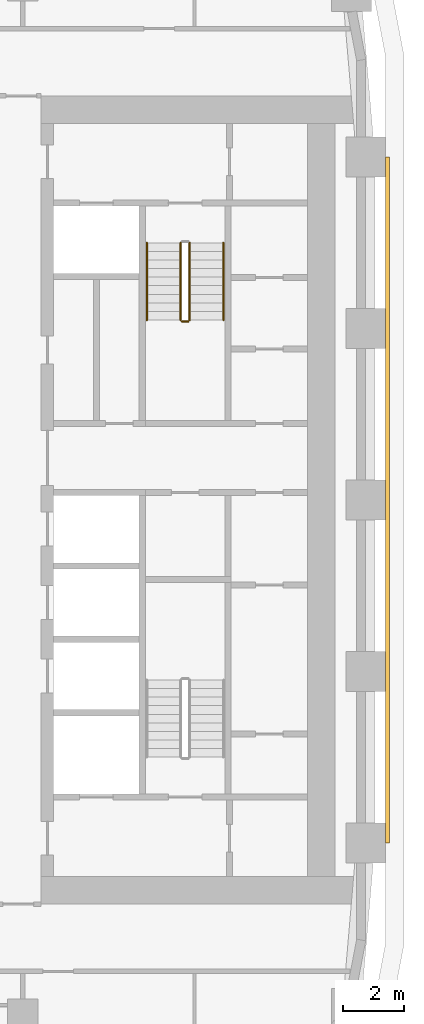
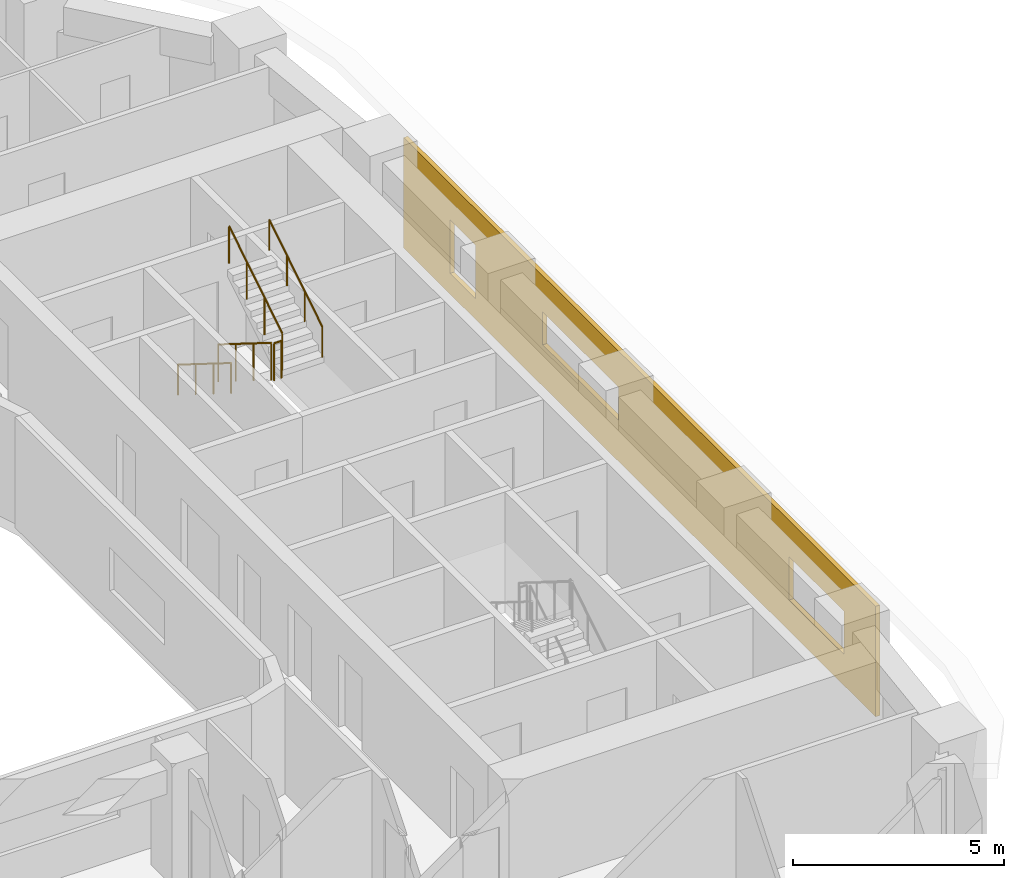
# One storey, part 19 of 22: 5 railings, 1 covering.
"""IFC4 building model written with IfcOpenShell, lengths in metres."""

from ifc_helpers import new_model, si_unit, direction, frame, origin, origin_2d, place, context, subcontext, project, spatial, polyline, circle, outline, extrude, material, layer, layer_set, type_object, element, save


model = new_model("IFC4")

# Units and contexts
model_context = context("Model", 3, precision=1e-05, world=origin(), true_north=direction((0.0, 1.0)))
body_context = subcontext(model_context, "Body", "Model", "MODEL_VIEW")
ifc_project = project(units=[si_unit("LENGTHUNIT", "METRE"), si_unit("AREAUNIT", "SQUARE_METRE"), si_unit("VOLUMEUNIT", "CUBIC_METRE"), si_unit("PLANEANGLEUNIT", "RADIAN"), si_unit("MASSUNIT", "GRAM", prefix="KILO")], contexts=[model_context])

# Site, building, storey
site_placement = place(None, origin())
site = spatial("IfcSite", under=ifc_project, at=site_placement, CompositionType="ELEMENT")
building_placement = place(site_placement, origin())
building = spatial("IfcBuilding", under=site, at=building_placement, Name="Kiln Ring Residences", CompositionType="ELEMENT")
storey_placement = place(building_placement, frame((0.0, 0.0, 90.300048828125)))
storey = spatial("IfcBuildingStorey", under=building, at=storey_placement, Name="L22", CompositionType="ELEMENT", Elevation=90.300048828125)

# Railings
ifc_material_1 = material(Name="Stainless steel", Category="steel")
railing_type_1 = type_object("IfcRailingType", Name="CORE-STAIR-GUARD", PredefinedType="GUARDRAIL", material=ifc_material_1)
railing_1_placement = place(storey_placement, frame((21.949951171875, 8.39990234375, 0.175048828125)))
element("IfcRailing", 1, at=railing_1_placement, inside=storey, type_object=railing_type_1, Name="L22 E-STN stair guard 1", PredefinedType="GUARDRAIL", context=body_context, shape_type="SweptSolid", body=[
    extrude(circle(Radius=0.02392578125, at=origin_2d()), frame((0.0, 0.0, 1.076171875), z_axis=(0.0, -0.848007534815, 0.529984170421), x_axis=(1.0, 0.0, 0.0)), (0.0, 0.0, 1.0), 2.9716796875),
    extrude(circle(Radius=0.02099609375, at=origin_2d()), origin(), (0.0, 0.0, 1.0), 1.052001953125),
    extrude(circle(Radius=0.02099609375, at=origin_2d()), frame((0.0, -0.840087890625, 0.52490234375)), (0.0, 0.0, 1.0), 1.052001953125),
    extrude(circle(Radius=0.02099609375, at=origin_2d()), frame((0.0, -1.679931640625, 1.050048828125)), (0.0, 0.0, 1.0), 1.052001953125),
    extrude(circle(Radius=0.02099609375, at=origin_2d()), frame((0.0, -2.52001953125, 1.574951171875)), (0.0, 0.0, 1.0), 1.052001953125),
])
railing_2_placement = place(storey_placement, frame((22.0, 5.830078125, 1.75)))
element("IfcRailing", 2, at=railing_2_placement, inside=storey, type_object=railing_type_1, Name="L22 E-STN stair guard 2", PredefinedType="GUARDRAIL", context=body_context, shape_type="SweptSolid", body=[
    extrude(circle(Radius=0.02392578125, at=origin_2d()), frame((0.0, 0.0, 1.076171875), z_axis=(1.0, 0.0, 0.0), x_axis=(0.0, 1.0, 0.0)), (0.0, 0.0, 1.0), 0.199951171875),
    extrude(circle(Radius=0.02099609375, at=origin_2d()), origin(), (0.0, 0.0, 1.0), 1.052001953125),
    extrude(circle(Radius=0.02099609375, at=origin_2d()), frame((0.199951171875, 0.0, 0.0)), (0.0, 0.0, 1.0), 1.052001953125),
])
railing_3_placement = place(storey_placement, frame((22.25, 5.8798828125, 1.925048828125)))
element("IfcRailing", 3, at=railing_3_placement, inside=storey, type_object=railing_type_1, Name="L22 E-STN stair guard 3", PredefinedType="GUARDRAIL", context=body_context, shape_type="SweptSolid", body=[
    extrude(circle(Radius=0.02392578125, at=origin_2d()), frame((0.0, 0.0, 1.076171875), z_axis=(0.0, 0.848007534815, 0.529984170421), x_axis=(-1.0, 0.0, 0.0)), (0.0, 0.0, 1.0), 2.9716796875),
    extrude(circle(Radius=0.02099609375, at=origin_2d()), origin(), (0.0, 0.0, 1.0), 1.052001953125),
    extrude(circle(Radius=0.02099609375, at=origin_2d()), frame((0.0, 0.840087890625, 0.52490234375)), (0.0, 0.0, 1.0), 1.052001953125),
    extrude(circle(Radius=0.02099609375, at=origin_2d()), frame((0.0, 1.679931640625, 1.050048828125)), (0.0, 0.0, 1.0), 1.052001953125),
    extrude(circle(Radius=0.02099609375, at=origin_2d()), frame((0.0, 2.52001953125, 1.574951171875)), (0.0, 0.0, 1.0), 1.052001953125),
])
ifc_material_2 = material(Name="Stainless steel", Category="steel")
railing_type_2 = type_object("IfcRailingType", Name="CORE-STAIR-HANDRAIL", PredefinedType="HANDRAIL", material=ifc_material_2)
railing_4_placement = place(storey_placement, frame((20.85009765625, 8.39990234375, 0.175048828125)))
element("IfcRailing", 4, at=railing_4_placement, inside=storey, type_object=railing_type_2, Name="L22 E-STN stair handrail 1", PredefinedType="HANDRAIL", context=body_context, shape_type="SweptSolid", body=[
    extrude(circle(Radius=0.02392578125, at=origin_2d()), frame((0.0, 0.0, 0.8759765625), z_axis=(0.0, -0.848007534815, 0.529984170421), x_axis=(1.0, 0.0, 0.0)), (0.0, 0.0, 1.0), 2.9716796875),
    extrude(circle(Radius=0.02099609375, at=origin_2d()), origin(), (0.0, 0.0, 1.0), 0.851806640625),
    extrude(circle(Radius=0.02099609375, at=origin_2d()), frame((0.0, -0.840087890625, 0.52490234375)), (0.0, 0.0, 1.0), 0.851806640625),
    extrude(circle(Radius=0.02099609375, at=origin_2d()), frame((0.0, -1.679931640625, 1.050048828125)), (0.0, 0.0, 1.0), 0.851806640625),
    extrude(circle(Radius=0.02099609375, at=origin_2d()), frame((0.0, -2.52001953125, 1.574951171875)), (0.0, 0.0, 1.0), 0.851806640625),
])
railing_5_placement = place(storey_placement, frame((23.35009765625, 5.8798828125, 1.925048828125)))
element("IfcRailing", 5, at=railing_5_placement, inside=storey, type_object=railing_type_2, Name="L22 E-STN stair handrail 2", PredefinedType="HANDRAIL", context=body_context, shape_type="SweptSolid", body=[
    extrude(circle(Radius=0.02392578125, at=origin_2d()), frame((0.0, 0.0, 0.8759765625), z_axis=(0.0, 0.848007534815, 0.529984170421), x_axis=(-1.0, 0.0, 0.0)), (0.0, 0.0, 1.0), 2.9716796875),
    extrude(circle(Radius=0.02099609375, at=origin_2d()), origin(), (0.0, 0.0, 1.0), 0.851806640625),
    extrude(circle(Radius=0.02099609375, at=origin_2d()), frame((0.0, 0.840087890625, 0.52490234375)), (0.0, 0.0, 1.0), 0.851806640625),
    extrude(circle(Radius=0.02099609375, at=origin_2d()), frame((0.0, 1.679931640625, 1.050048828125)), (0.0, 0.0, 1.0), 0.851806640625),
    extrude(circle(Radius=0.02099609375, at=origin_2d()), frame((0.0, 2.52001953125, 1.574951171875)), (0.0, 0.0, 1.0), 0.851806640625),
])

# Covering
ifc_material_3 = material(Name="Brick masonry, dark clay brick", Category="masonry")
ifc_layer = layer(ifc_material_3, 0.1201171875)
ifc_layer_set = layer_set([ifc_layer], Name="RAINSCREEN PANEL 120")
covering_type = type_object("IfcCoveringType", Name="RAINSCREEN PANEL 120", PredefinedType="CLADDING", material=ifc_layer_set)
covering_placement = place(storey_placement, frame((28.7099609375, -11.199951171875, 0.0), z_axis=(0.0, 0.0, 1.0), x_axis=(0.0, 1.0, 0.0)))
element("IfcCovering", 6, at=covering_placement, inside=storey, type_object=covering_type, Name="RAINSCREEN L22", PredefinedType="CLADDING", context=body_context, shape_type="SweptSolid", body=[
    extrude(outline(polyline([(0.0, 0.0), (22.39990234375, 0.0), (22.39990234375, 3.199951171875), (0.0, 3.199951171875), (0.0, 0.0)]), holes=[polyline([(20.199951171875, 2.14990234375), (19.0, 2.14990234375), (19.0, 0.599853515625), (20.199951171875, 0.599853515625), (20.199951171875, 2.14990234375)]), polyline([(4.10009765625, 0.89990234375), (4.10009765625, 2.14990234375), (1.5, 2.14990234375), (1.5, 0.89990234375), (4.10009765625, 0.89990234375)]), polyline([(15.800048828125, 1.199951171875), (15.800048828125, 2.14990234375), (12.199951171875, 2.14990234375), (12.199951171875, 1.199951171875), (15.800048828125, 1.199951171875)])]), frame((0.0, 0.06005859375, 0.0), z_axis=(0.0, -1.0, 0.0), x_axis=(1.0, 0.0, 0.0)), (0.0, 0.0, 1.0), 0.1201171875),
])

save(model, "model.ifc")
